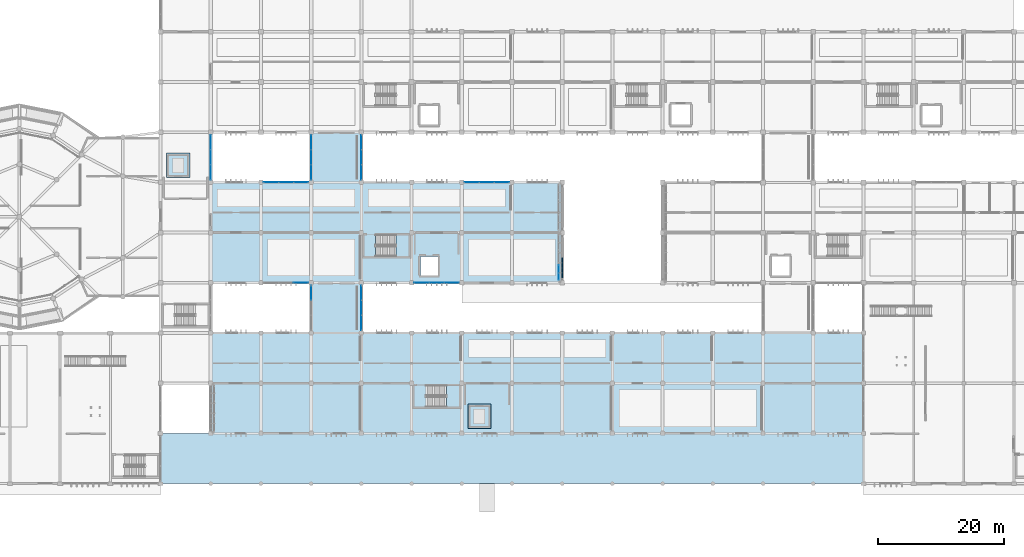
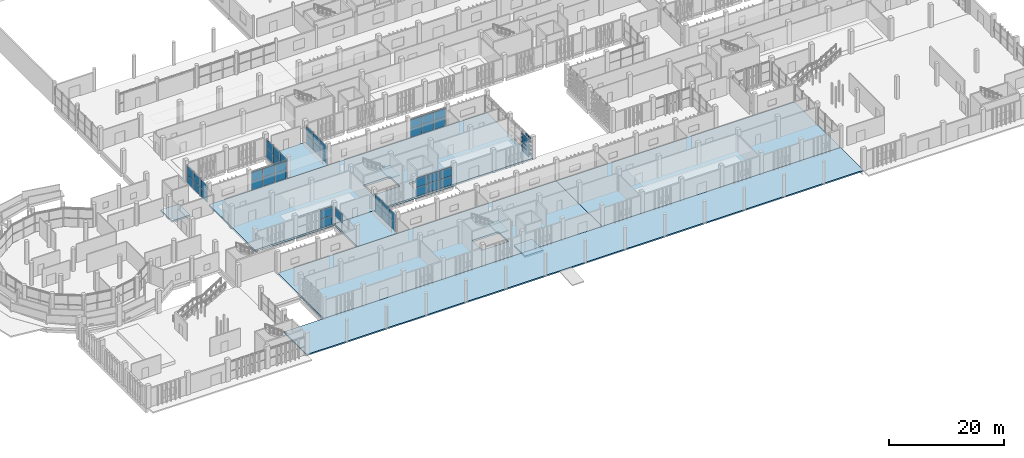
# One storey, part 77 of 117: 56 plates, 10 slabs, 12 elements without a shape of their own.
"""IFC4 building model written with IfcOpenShell, lengths in metres."""

from ifc_helpers import new_model, si_unit, direction, frame, origin, origin_2d, place, context, subcontext, project, spatial, polyline, rectangle, outline, extrude, material, layer, layer_set, type_object, element, aggregate, save


model = new_model("IFC4")

# Units and contexts
model_context = context("Model", 3, precision=1e-05, world=origin(), true_north=direction((0.0, 1.0)))
body_context = subcontext(model_context, "Body", "Model", "MODEL_VIEW")
ifc_project = project(units=[si_unit("LENGTHUNIT", "METRE"), si_unit("AREAUNIT", "SQUARE_METRE"), si_unit("VOLUMEUNIT", "CUBIC_METRE"), si_unit("PLANEANGLEUNIT", "RADIAN"), si_unit("MASSUNIT", "GRAM", prefix="KILO")], contexts=[model_context])

# Site, building, storey
site_placement = place(None, origin())
site = spatial("IfcSite", under=ifc_project, at=site_placement, CompositionType="ELEMENT")
building_placement = place(site_placement, origin())
building = spatial("IfcBuilding", under=site, at=building_placement, Name="Jelvoka-Kovrelna Polytechnic", CompositionType="ELEMENT")
storey_placement = place(building_placement, origin())
storey = spatial("IfcBuildingStorey", under=building, at=storey_placement, Name="L01", CompositionType="ELEMENT", Elevation=0.0)

# Curtain wall, plates
ifc_material_1 = material(Name="Anodised aluminium 6063-T6", Category="aluminium")
ifc_layer_1 = layer(ifc_material_1, 0.159912109375)
ifc_layer_set_1 = layer_set([ifc_layer_1], Name="Anodised aluminium 6063-T6")
curtain_wall_type_1 = type_object("IfcCurtainWallType", Name="CW_Recessed_A", PredefinedType="NOTDEFINED", material=ifc_layer_set_1)
curtain_wall_1_placement = place(storey_placement, origin())
curtain_wall_1 = element("IfcCurtainWall", 1, at=curtain_wall_1_placement, inside=storey, type_object=curtain_wall_type_1, Name="L01 glazed curtain wall 009", PredefinedType="NOTDEFINED")
ifc_material_2 = material(Name="Solar-control double glazing", Category="glass")
ifc_layer_2 = layer(ifc_material_2, 0.028076171875)
ifc_layer_set_2 = layer_set([ifc_layer_2], Name="Solar-control double glazing")
plate_type_1 = type_object("IfcPlateType", Name="Panel_GP-01", PredefinedType="CURTAIN_PANEL", material=ifc_layer_set_2)
plate_1_placement = place(storey_placement, frame((70.385009765625, 32.0, 0.052001953125), z_axis=(0.0, 0.0, 1.0), x_axis=(-1.0, 0.0, 0.0)))
plate_1 = element("IfcPlate", 2, at=plate_1_placement, type_object=plate_type_1, Name="CW-01 panel 1.1", PredefinedType="CURTAIN_PANEL", context=body_context, shape_type="SweptSolid", body=[
    extrude(rectangle(XDim=2.326171875, YDim=0.028076171875, at=origin_2d()), origin(), (0.0, 0.0, 1.0), 1.881103515625),
])
plate_2_placement = place(storey_placement, frame((70.385009765625, 32.0, 1.976806640625), z_axis=(0.0, 0.0, 1.0), x_axis=(-1.0, 0.0, 0.0)))
plate_2 = element("IfcPlate", 3, at=plate_2_placement, type_object=plate_type_1, Name="CW-01 panel 1.2", PredefinedType="CURTAIN_PANEL", context=body_context, shape_type="SweptSolid", body=[
    extrude(rectangle(XDim=2.326171875, YDim=0.028076171875, at=origin_2d()), origin(), (0.0, 0.0, 1.0), 1.881103515625),
])
aggregate(curtain_wall_1, [plate_1, plate_2])

curtain_wall_2_placement = place(storey_placement, origin())
curtain_wall_2 = element("IfcCurtainWall", 4, at=curtain_wall_2_placement, inside=storey, type_object=curtain_wall_type_1, Name="L01 glazed curtain wall 010", PredefinedType="NOTDEFINED")
plate_3_placement = place(storey_placement, frame((65.614990234375, 48.0, 0.052001953125), z_axis=(0.0, 0.0, 1.0), x_axis=(1.0, 0.0, 0.0)))
plate_3 = element("IfcPlate", 5, at=plate_3_placement, type_object=plate_type_1, Name="CW-01 panel 1.1", PredefinedType="CURTAIN_PANEL", context=body_context, shape_type="SweptSolid", body=[
    extrude(rectangle(XDim=2.326171875, YDim=0.028076171875, at=origin_2d()), origin(), (0.0, 0.0, 1.0), 1.881103515625),
])
plate_4_placement = place(storey_placement, frame((65.614990234375, 48.0, 1.976806640625), z_axis=(0.0, 0.0, 1.0), x_axis=(1.0, 0.0, 0.0)))
plate_4 = element("IfcPlate", 6, at=plate_4_placement, type_object=plate_type_1, Name="CW-01 panel 1.2", PredefinedType="CURTAIN_PANEL", context=body_context, shape_type="SweptSolid", body=[
    extrude(rectangle(XDim=2.326171875, YDim=0.028076171875, at=origin_2d()), origin(), (0.0, 0.0, 1.0), 1.881103515625),
])
plate_5_placement = place(storey_placement, frame((68.0, 48.0, 0.052001953125), z_axis=(0.0, 0.0, 1.0), x_axis=(1.0, 0.0, 0.0)))
plate_5 = element("IfcPlate", 7, at=plate_5_placement, type_object=plate_type_1, Name="CW-01 panel 2.1", PredefinedType="CURTAIN_PANEL", context=body_context, shape_type="SweptSolid", body=[
    extrude(rectangle(XDim=2.356201171875, YDim=0.028076171875, at=origin_2d()), origin(), (0.0, 0.0, 1.0), 1.881103515625),
])
plate_6_placement = place(storey_placement, frame((68.0, 48.0, 1.976806640625), z_axis=(0.0, 0.0, 1.0), x_axis=(1.0, 0.0, 0.0)))
plate_6 = element("IfcPlate", 8, at=plate_6_placement, type_object=plate_type_1, Name="CW-01 panel 2.2", PredefinedType="CURTAIN_PANEL", context=body_context, shape_type="SweptSolid", body=[
    extrude(rectangle(XDim=2.356201171875, YDim=0.028076171875, at=origin_2d()), origin(), (0.0, 0.0, 1.0), 1.881103515625),
])
plate_7_placement = place(storey_placement, frame((70.385009765625, 48.0, 0.052001953125), z_axis=(0.0, 0.0, 1.0), x_axis=(1.0, 0.0, 0.0)))
plate_7 = element("IfcPlate", 9, at=plate_7_placement, type_object=plate_type_1, Name="CW-01 panel 3.1", PredefinedType="CURTAIN_PANEL", context=body_context, shape_type="SweptSolid", body=[
    extrude(rectangle(XDim=2.326171875, YDim=0.028076171875, at=origin_2d()), origin(), (0.0, 0.0, 1.0), 1.881103515625),
])
plate_8_placement = place(storey_placement, frame((70.385009765625, 48.0, 1.976806640625), z_axis=(0.0, 0.0, 1.0), x_axis=(1.0, 0.0, 0.0)))
plate_8 = element("IfcPlate", 10, at=plate_8_placement, type_object=plate_type_1, Name="CW-01 panel 3.2", PredefinedType="CURTAIN_PANEL", context=body_context, shape_type="SweptSolid", body=[
    extrude(rectangle(XDim=2.326171875, YDim=0.028076171875, at=origin_2d()), origin(), (0.0, 0.0, 1.0), 1.881103515625),
])
aggregate(curtain_wall_2, [plate_3, plate_4, plate_5, plate_6, plate_7, plate_8])

curtain_wall_3_placement = place(storey_placement, origin())
curtain_wall_3 = element("IfcCurtainWall", 11, at=curtain_wall_3_placement, inside=storey, type_object=curtain_wall_type_1, Name="L01 glazed curtain wall 011", PredefinedType="NOTDEFINED")
plate_9_placement = place(storey_placement, frame((94.385009765625, 32.0, 0.052001953125), z_axis=(0.0, 0.0, 1.0), x_axis=(-1.0, 0.0, 0.0)))
plate_9 = element("IfcPlate", 12, at=plate_9_placement, type_object=plate_type_1, Name="CW-01 panel 1.1", PredefinedType="CURTAIN_PANEL", context=body_context, shape_type="SweptSolid", body=[
    extrude(rectangle(XDim=2.326171875, YDim=0.028076171875, at=origin_2d()), origin(), (0.0, 0.0, 1.0), 1.881103515625),
])
plate_10_placement = place(storey_placement, frame((94.385009765625, 32.0, 1.976806640625), z_axis=(0.0, 0.0, 1.0), x_axis=(-1.0, 0.0, 0.0)))
plate_10 = element("IfcPlate", 13, at=plate_10_placement, type_object=plate_type_1, Name="CW-01 panel 1.2", PredefinedType="CURTAIN_PANEL", context=body_context, shape_type="SweptSolid", body=[
    extrude(rectangle(XDim=2.326171875, YDim=0.028076171875, at=origin_2d()), origin(), (0.0, 0.0, 1.0), 1.881103515625),
])
plate_11_placement = place(storey_placement, frame((92.0, 32.0, 0.052001953125), z_axis=(0.0, 0.0, 1.0), x_axis=(-1.0, 0.0, 0.0)))
plate_11 = element("IfcPlate", 14, at=plate_11_placement, type_object=plate_type_1, Name="CW-01 panel 2.1", PredefinedType="CURTAIN_PANEL", context=body_context, shape_type="SweptSolid", body=[
    extrude(rectangle(XDim=2.356201171875, YDim=0.028076171875, at=origin_2d()), origin(), (0.0, 0.0, 1.0), 1.881103515625),
])
plate_12_placement = place(storey_placement, frame((92.0, 32.0, 1.976806640625), z_axis=(0.0, 0.0, 1.0), x_axis=(-1.0, 0.0, 0.0)))
plate_12 = element("IfcPlate", 15, at=plate_12_placement, type_object=plate_type_1, Name="CW-01 panel 2.2", PredefinedType="CURTAIN_PANEL", context=body_context, shape_type="SweptSolid", body=[
    extrude(rectangle(XDim=2.356201171875, YDim=0.028076171875, at=origin_2d()), origin(), (0.0, 0.0, 1.0), 1.881103515625),
])
plate_13_placement = place(storey_placement, frame((89.614990234375, 32.0, 0.052001953125), z_axis=(0.0, 0.0, 1.0), x_axis=(-1.0, 0.0, 0.0)))
plate_13 = element("IfcPlate", 16, at=plate_13_placement, type_object=plate_type_1, Name="CW-01 panel 3.1", PredefinedType="CURTAIN_PANEL", context=body_context, shape_type="SweptSolid", body=[
    extrude(rectangle(XDim=2.326171875, YDim=0.028076171875, at=origin_2d()), origin(), (0.0, 0.0, 1.0), 1.881103515625),
])
plate_14_placement = place(storey_placement, frame((89.614990234375, 32.0, 1.976806640625), z_axis=(0.0, 0.0, 1.0), x_axis=(-1.0, 0.0, 0.0)))
plate_14 = element("IfcPlate", 17, at=plate_14_placement, type_object=plate_type_1, Name="CW-01 panel 3.2", PredefinedType="CURTAIN_PANEL", context=body_context, shape_type="SweptSolid", body=[
    extrude(rectangle(XDim=2.326171875, YDim=0.028076171875, at=origin_2d()), origin(), (0.0, 0.0, 1.0), 1.881103515625),
])
aggregate(curtain_wall_3, [plate_9, plate_10, plate_11, plate_12, plate_13, plate_14])

curtain_wall_4_placement = place(storey_placement, origin())
curtain_wall_4 = element("IfcCurtainWall", 18, at=curtain_wall_4_placement, inside=storey, type_object=curtain_wall_type_1, Name="L01 glazed curtain wall 012", PredefinedType="NOTDEFINED")
plate_15_placement = place(storey_placement, frame((97.614990234375, 48.0, 0.052001953125), z_axis=(0.0, 0.0, 1.0), x_axis=(1.0, 0.0, 0.0)))
plate_15 = element("IfcPlate", 19, at=plate_15_placement, type_object=plate_type_1, Name="CW-01 panel 1.1", PredefinedType="CURTAIN_PANEL", context=body_context, shape_type="SweptSolid", body=[
    extrude(rectangle(XDim=2.326171875, YDim=0.028076171875, at=origin_2d()), origin(), (0.0, 0.0, 1.0), 1.881103515625),
])
plate_16_placement = place(storey_placement, frame((97.614990234375, 48.0, 1.976806640625), z_axis=(0.0, 0.0, 1.0), x_axis=(1.0, 0.0, 0.0)))
plate_16 = element("IfcPlate", 20, at=plate_16_placement, type_object=plate_type_1, Name="CW-01 panel 1.2", PredefinedType="CURTAIN_PANEL", context=body_context, shape_type="SweptSolid", body=[
    extrude(rectangle(XDim=2.326171875, YDim=0.028076171875, at=origin_2d()), origin(), (0.0, 0.0, 1.0), 1.881103515625),
])
plate_17_placement = place(storey_placement, frame((100.0, 48.0, 0.052001953125), z_axis=(0.0, 0.0, 1.0), x_axis=(1.0, 0.0, 0.0)))
plate_17 = element("IfcPlate", 21, at=plate_17_placement, type_object=plate_type_1, Name="CW-01 panel 2.1", PredefinedType="CURTAIN_PANEL", context=body_context, shape_type="SweptSolid", body=[
    extrude(rectangle(XDim=2.356201171875, YDim=0.028076171875, at=origin_2d()), origin(), (0.0, 0.0, 1.0), 1.881103515625),
])
plate_18_placement = place(storey_placement, frame((100.0, 48.0, 1.976806640625), z_axis=(0.0, 0.0, 1.0), x_axis=(1.0, 0.0, 0.0)))
plate_18 = element("IfcPlate", 22, at=plate_18_placement, type_object=plate_type_1, Name="CW-01 panel 2.2", PredefinedType="CURTAIN_PANEL", context=body_context, shape_type="SweptSolid", body=[
    extrude(rectangle(XDim=2.356201171875, YDim=0.028076171875, at=origin_2d()), origin(), (0.0, 0.0, 1.0), 1.881103515625),
])
plate_19_placement = place(storey_placement, frame((102.385009765625, 48.0, 0.052001953125), z_axis=(0.0, 0.0, 1.0), x_axis=(1.0, 0.0, 0.0)))
plate_19 = element("IfcPlate", 23, at=plate_19_placement, type_object=plate_type_1, Name="CW-01 panel 3.1", PredefinedType="CURTAIN_PANEL", context=body_context, shape_type="SweptSolid", body=[
    extrude(rectangle(XDim=2.326171875, YDim=0.028076171875, at=origin_2d()), origin(), (0.0, 0.0, 1.0), 1.881103515625),
])
plate_20_placement = place(storey_placement, frame((102.385009765625, 48.0, 1.976806640625), z_axis=(0.0, 0.0, 1.0), x_axis=(1.0, 0.0, 0.0)))
plate_20 = element("IfcPlate", 24, at=plate_20_placement, type_object=plate_type_1, Name="CW-01 panel 3.2", PredefinedType="CURTAIN_PANEL", context=body_context, shape_type="SweptSolid", body=[
    extrude(rectangle(XDim=2.326171875, YDim=0.028076171875, at=origin_2d()), origin(), (0.0, 0.0, 1.0), 1.881103515625),
])
aggregate(curtain_wall_4, [plate_15, plate_16, plate_17, plate_18, plate_19, plate_20])

curtain_wall_5_placement = place(storey_placement, origin())
curtain_wall_5 = element("IfcCurtainWall", 25, at=curtain_wall_5_placement, inside=storey, type_object=curtain_wall_type_1, Name="L01 glazed curtain wall 013", PredefinedType="NOTDEFINED")
plate_21_placement = place(storey_placement, frame((111.43994140625, 33.614990234375, 0.052001953125), z_axis=(0.0, 0.0, 1.0), x_axis=(0.0, -1.0, 0.0)))
plate_21 = element("IfcPlate", 26, at=plate_21_placement, type_object=plate_type_1, Name="CW-01 panel 3.1", PredefinedType="CURTAIN_PANEL", context=body_context, shape_type="SweptSolid", body=[
    extrude(rectangle(XDim=2.326171875, YDim=0.028076171875, at=origin_2d()), origin(), (0.0, 0.0, 1.0), 1.901123046875),
])
plate_22_placement = place(storey_placement, frame((111.43994140625, 33.614990234375, 1.996826171875), z_axis=(0.0, 0.0, 1.0), x_axis=(0.0, -1.0, 0.0)))
plate_22 = element("IfcPlate", 27, at=plate_22_placement, type_object=plate_type_1, Name="CW-01 panel 3.2", PredefinedType="CURTAIN_PANEL", context=body_context, shape_type="SweptSolid", body=[
    extrude(rectangle(XDim=2.326171875, YDim=0.028076171875, at=origin_2d()), origin(), (0.0, 0.0, 1.0), 1.901123046875),
])
aggregate(curtain_wall_5, [plate_21, plate_22])

ifc_material_3 = material(Name="Anodised aluminium 6063-T6", Category="aluminium")
ifc_layer_3 = layer(ifc_material_3, 0.159912109375)
ifc_layer_set_3 = layer_set([ifc_layer_3], Name="Anodised aluminium 6063-T6")
curtain_wall_type_2 = type_object("IfcCurtainWallType", Name="CW_LinkBridge", PredefinedType="NOTDEFINED", material=ifc_layer_set_3)
curtain_wall_6_placement = place(storey_placement, origin())
curtain_wall_6 = element("IfcCurtainWall", 28, at=curtain_wall_6_placement, inside=storey, type_object=curtain_wall_type_2, Name="L01 glazed curtain wall 102", PredefinedType="NOTDEFINED")
ifc_material_4 = material(Name="Solar-control double glazing", Category="glass")
ifc_layer_4 = layer(ifc_material_4, 0.02392578125)
ifc_layer_set_4 = layer_set([ifc_layer_4], Name="Solar-control double glazing")
plate_type_2 = type_object("IfcPlateType", Name="Panel_GP-04", PredefinedType="CURTAIN_PANEL", material=ifc_layer_set_4)
plate_23_placement = place(storey_placement, frame((72.0, 49.614990234375, 0.052001953125), z_axis=(0.0, 0.0, 1.0), x_axis=(0.0, 1.0, 0.0)))
plate_23 = element("IfcPlate", 29, at=plate_23_placement, type_object=plate_type_2, Name="CW-04 panel 1.1", PredefinedType="CURTAIN_PANEL", context=body_context, shape_type="SweptSolid", body=[
    extrude(rectangle(XDim=2.326171875, YDim=0.02392578125, at=origin_2d()), origin(), (0.0, 0.0, 1.0), 1.80615234375),
])
plate_24_placement = place(storey_placement, frame((72.0, 49.614990234375, 1.90185546875), z_axis=(0.0, 0.0, 1.0), x_axis=(0.0, 1.0, 0.0)))
plate_24 = element("IfcPlate", 30, at=plate_24_placement, type_object=plate_type_2, Name="CW-04 panel 1.2", PredefinedType="CURTAIN_PANEL", context=body_context, shape_type="SweptSolid", body=[
    extrude(rectangle(XDim=2.326171875, YDim=0.02392578125, at=origin_2d()), origin(), (0.0, 0.0, 1.0), 1.80615234375),
])
plate_25_placement = place(storey_placement, frame((72.0, 52.0, 0.052001953125), z_axis=(0.0, 0.0, 1.0), x_axis=(0.0, 1.0, 0.0)))
plate_25 = element("IfcPlate", 31, at=plate_25_placement, type_object=plate_type_2, Name="CW-04 panel 2.1", PredefinedType="CURTAIN_PANEL", context=body_context, shape_type="SweptSolid", body=[
    extrude(rectangle(XDim=2.356201171875, YDim=0.02392578125, at=origin_2d()), origin(), (0.0, 0.0, 1.0), 1.80615234375),
])
plate_26_placement = place(storey_placement, frame((72.0, 52.0, 1.90185546875), z_axis=(0.0, 0.0, 1.0), x_axis=(0.0, 1.0, 0.0)))
plate_26 = element("IfcPlate", 32, at=plate_26_placement, type_object=plate_type_2, Name="CW-04 panel 2.2", PredefinedType="CURTAIN_PANEL", context=body_context, shape_type="SweptSolid", body=[
    extrude(rectangle(XDim=2.356201171875, YDim=0.02392578125, at=origin_2d()), origin(), (0.0, 0.0, 1.0), 1.80615234375),
])
plate_27_placement = place(storey_placement, frame((72.0, 54.385009765625, 0.052001953125), z_axis=(0.0, 0.0, 1.0), x_axis=(0.0, 1.0, 0.0)))
plate_27 = element("IfcPlate", 33, at=plate_27_placement, type_object=plate_type_2, Name="CW-04 panel 3.1", PredefinedType="CURTAIN_PANEL", context=body_context, shape_type="SweptSolid", body=[
    extrude(rectangle(XDim=2.326171875, YDim=0.02392578125, at=origin_2d()), origin(), (0.0, 0.0, 1.0), 1.80615234375),
])
plate_28_placement = place(storey_placement, frame((72.0, 54.385009765625, 1.90185546875), z_axis=(0.0, 0.0, 1.0), x_axis=(0.0, 1.0, 0.0)))
plate_28 = element("IfcPlate", 34, at=plate_28_placement, type_object=plate_type_2, Name="CW-04 panel 3.2", PredefinedType="CURTAIN_PANEL", context=body_context, shape_type="SweptSolid", body=[
    extrude(rectangle(XDim=2.326171875, YDim=0.02392578125, at=origin_2d()), origin(), (0.0, 0.0, 1.0), 1.80615234375),
])
aggregate(curtain_wall_6, [plate_23, plate_24, plate_25, plate_26, plate_27, plate_28])

curtain_wall_7_placement = place(storey_placement, origin())
curtain_wall_7 = element("IfcCurtainWall", 35, at=curtain_wall_7_placement, inside=storey, type_object=curtain_wall_type_2, Name="L01 glazed curtain wall 103", PredefinedType="NOTDEFINED")
plate_29_placement = place(storey_placement, frame((80.0, 54.385009765625, 0.052001953125), z_axis=(0.0, 0.0, 1.0), x_axis=(0.0, -1.0, 0.0)))
plate_29 = element("IfcPlate", 36, at=plate_29_placement, type_object=plate_type_2, Name="CW-04 panel 1.1", PredefinedType="CURTAIN_PANEL", context=body_context, shape_type="SweptSolid", body=[
    extrude(rectangle(XDim=2.326171875, YDim=0.02392578125, at=origin_2d()), origin(), (0.0, 0.0, 1.0), 1.80615234375),
])
plate_30_placement = place(storey_placement, frame((80.0, 54.385009765625, 1.90185546875), z_axis=(0.0, 0.0, 1.0), x_axis=(0.0, -1.0, 0.0)))
plate_30 = element("IfcPlate", 37, at=plate_30_placement, type_object=plate_type_2, Name="CW-04 panel 1.2", PredefinedType="CURTAIN_PANEL", context=body_context, shape_type="SweptSolid", body=[
    extrude(rectangle(XDim=2.326171875, YDim=0.02392578125, at=origin_2d()), origin(), (0.0, 0.0, 1.0), 1.80615234375),
])
plate_31_placement = place(storey_placement, frame((80.0, 52.0, 0.052001953125), z_axis=(0.0, 0.0, 1.0), x_axis=(0.0, -1.0, 0.0)))
plate_31 = element("IfcPlate", 38, at=plate_31_placement, type_object=plate_type_2, Name="CW-04 panel 2.1", PredefinedType="CURTAIN_PANEL", context=body_context, shape_type="SweptSolid", body=[
    extrude(rectangle(XDim=2.356201171875, YDim=0.02392578125, at=origin_2d()), origin(), (0.0, 0.0, 1.0), 1.80615234375),
])
plate_32_placement = place(storey_placement, frame((80.0, 52.0, 1.90185546875), z_axis=(0.0, 0.0, 1.0), x_axis=(0.0, -1.0, 0.0)))
plate_32 = element("IfcPlate", 39, at=plate_32_placement, type_object=plate_type_2, Name="CW-04 panel 2.2", PredefinedType="CURTAIN_PANEL", context=body_context, shape_type="SweptSolid", body=[
    extrude(rectangle(XDim=2.356201171875, YDim=0.02392578125, at=origin_2d()), origin(), (0.0, 0.0, 1.0), 1.80615234375),
])
plate_33_placement = place(storey_placement, frame((80.0, 49.614990234375, 0.052001953125), z_axis=(0.0, 0.0, 1.0), x_axis=(0.0, -1.0, 0.0)))
plate_33 = element("IfcPlate", 40, at=plate_33_placement, type_object=plate_type_2, Name="CW-04 panel 3.1", PredefinedType="CURTAIN_PANEL", context=body_context, shape_type="SweptSolid", body=[
    extrude(rectangle(XDim=2.326171875, YDim=0.02392578125, at=origin_2d()), origin(), (0.0, 0.0, 1.0), 1.80615234375),
])
plate_34_placement = place(storey_placement, frame((80.0, 49.614990234375, 1.90185546875), z_axis=(0.0, 0.0, 1.0), x_axis=(0.0, -1.0, 0.0)))
plate_34 = element("IfcPlate", 41, at=plate_34_placement, type_object=plate_type_2, Name="CW-04 panel 3.2", PredefinedType="CURTAIN_PANEL", context=body_context, shape_type="SweptSolid", body=[
    extrude(rectangle(XDim=2.326171875, YDim=0.02392578125, at=origin_2d()), origin(), (0.0, 0.0, 1.0), 1.80615234375),
])
aggregate(curtain_wall_7, [plate_29, plate_30, plate_31, plate_32, plate_33, plate_34])

# Curtain wall, plate
curtain_wall_8_placement = place(storey_placement, origin())
curtain_wall_8 = element("IfcCurtainWall", 42, at=curtain_wall_8_placement, inside=storey, type_object=curtain_wall_type_2, Name="L01 glazed curtain wall 104", PredefinedType="NOTDEFINED")
plate_35_placement = place(storey_placement, frame((72.0, 30.385009765625, 1.90185546875), z_axis=(0.0, 0.0, 1.0), x_axis=(0.0, 1.0, 0.0)))
plate_35 = element("IfcPlate", 43, at=plate_35_placement, type_object=plate_type_2, Name="CW-04 panel 3.2", PredefinedType="CURTAIN_PANEL", context=body_context, shape_type="SweptSolid", body=[
    extrude(rectangle(XDim=2.326171875, YDim=0.02392578125, at=origin_2d()), origin(), (0.0, 0.0, 1.0), 1.80615234375),
])
aggregate(curtain_wall_8, [plate_35])

# Curtain wall, plates
curtain_wall_9_placement = place(storey_placement, origin())
curtain_wall_9 = element("IfcCurtainWall", 44, at=curtain_wall_9_placement, inside=storey, type_object=curtain_wall_type_2, Name="L01 glazed curtain wall 105", PredefinedType="NOTDEFINED")
plate_36_placement = place(storey_placement, frame((80.0, 30.385009765625, 0.052001953125), z_axis=(0.0, 0.0, 1.0), x_axis=(0.0, -1.0, 0.0)))
plate_36 = element("IfcPlate", 45, at=plate_36_placement, type_object=plate_type_2, Name="CW-04 panel 1.1", PredefinedType="CURTAIN_PANEL", context=body_context, shape_type="SweptSolid", body=[
    extrude(rectangle(XDim=2.326171875, YDim=0.02392578125, at=origin_2d()), origin(), (0.0, 0.0, 1.0), 1.80615234375),
])
plate_37_placement = place(storey_placement, frame((80.0, 30.385009765625, 1.90185546875), z_axis=(0.0, 0.0, 1.0), x_axis=(0.0, -1.0, 0.0)))
plate_37 = element("IfcPlate", 46, at=plate_37_placement, type_object=plate_type_2, Name="CW-04 panel 1.2", PredefinedType="CURTAIN_PANEL", context=body_context, shape_type="SweptSolid", body=[
    extrude(rectangle(XDim=2.326171875, YDim=0.02392578125, at=origin_2d()), origin(), (0.0, 0.0, 1.0), 1.80615234375),
])
plate_38_placement = place(storey_placement, frame((80.0, 28.0, 0.052001953125), z_axis=(0.0, 0.0, 1.0), x_axis=(0.0, -1.0, 0.0)))
plate_38 = element("IfcPlate", 47, at=plate_38_placement, type_object=plate_type_2, Name="CW-04 panel 2.1", PredefinedType="CURTAIN_PANEL", context=body_context, shape_type="SweptSolid", body=[
    extrude(rectangle(XDim=2.356201171875, YDim=0.02392578125, at=origin_2d()), origin(), (0.0, 0.0, 1.0), 1.80615234375),
])
plate_39_placement = place(storey_placement, frame((80.0, 28.0, 1.90185546875), z_axis=(0.0, 0.0, 1.0), x_axis=(0.0, -1.0, 0.0)))
plate_39 = element("IfcPlate", 48, at=plate_39_placement, type_object=plate_type_2, Name="CW-04 panel 2.2", PredefinedType="CURTAIN_PANEL", context=body_context, shape_type="SweptSolid", body=[
    extrude(rectangle(XDim=2.356201171875, YDim=0.02392578125, at=origin_2d()), origin(), (0.0, 0.0, 1.0), 1.80615234375),
])
plate_40_placement = place(storey_placement, frame((80.0, 25.614990234375, 0.052001953125), z_axis=(0.0, 0.0, 1.0), x_axis=(0.0, -1.0, 0.0)))
plate_40 = element("IfcPlate", 49, at=plate_40_placement, type_object=plate_type_2, Name="CW-04 panel 3.1", PredefinedType="CURTAIN_PANEL", context=body_context, shape_type="SweptSolid", body=[
    extrude(rectangle(XDim=2.326171875, YDim=0.02392578125, at=origin_2d()), origin(), (0.0, 0.0, 1.0), 1.80615234375),
])
plate_41_placement = place(storey_placement, frame((80.0, 25.614990234375, 1.90185546875), z_axis=(0.0, 0.0, 1.0), x_axis=(0.0, -1.0, 0.0)))
plate_41 = element("IfcPlate", 50, at=plate_41_placement, type_object=plate_type_2, Name="CW-04 panel 3.2", PredefinedType="CURTAIN_PANEL", context=body_context, shape_type="SweptSolid", body=[
    extrude(rectangle(XDim=2.326171875, YDim=0.02392578125, at=origin_2d()), origin(), (0.0, 0.0, 1.0), 1.80615234375),
])
aggregate(curtain_wall_9, [plate_36, plate_37, plate_38, plate_39, plate_40, plate_41])

ifc_material_5 = material(Name="Anodised aluminium 6063-T6", Category="aluminium")
ifc_layer_5 = layer(ifc_material_5, 0.179931640625)
ifc_layer_set_5 = layer_set([ifc_layer_5], Name="Anodised aluminium 6063-T6")
curtain_wall_type_3 = type_object("IfcCurtainWallType", Name="CW_Pavilion", PredefinedType="NOTDEFINED", material=ifc_layer_set_5)
curtain_wall_10_placement = place(storey_placement, origin())
curtain_wall_10 = element("IfcCurtainWall", 51, at=curtain_wall_10_placement, inside=storey, type_object=curtain_wall_type_3, Name="L01 glazed curtain wall 109", PredefinedType="NOTDEFINED")
ifc_material_6 = material(Name="Solar-control double glazing", Category="glass")
ifc_layer_6 = layer(ifc_material_6, 0.030029296875)
ifc_layer_set_6 = layer_set([ifc_layer_6], Name="Solar-control double glazing")
plate_type_3 = type_object("IfcPlateType", Name="Panel_GP-05", PredefinedType="CURTAIN_PANEL", material=ifc_layer_set_6)
plate_42_placement = place(storey_placement, frame((56.0, 54.3837890625, 0.056884765625), z_axis=(0.0, 0.0, 1.0), x_axis=(0.0, -1.0, 0.0)))
plate_42 = element("IfcPlate", 52, at=plate_42_placement, type_object=plate_type_3, Name="CW-05 panel 1.1", PredefinedType="CURTAIN_PANEL", context=body_context, shape_type="SweptSolid", body=[
    extrude(rectangle(XDim=2.318603515625, YDim=0.030029296875, at=origin_2d()), origin(), (0.0, 0.0, 1.0), 1.798583984375),
])
plate_43_placement = place(storey_placement, frame((56.0, 54.3837890625, 1.904541015625), z_axis=(0.0, 0.0, 1.0), x_axis=(0.0, -1.0, 0.0)))
plate_43 = element("IfcPlate", 53, at=plate_43_placement, type_object=plate_type_3, Name="CW-05 panel 1.2", PredefinedType="CURTAIN_PANEL", context=body_context, shape_type="SweptSolid", body=[
    extrude(rectangle(XDim=2.318603515625, YDim=0.030029296875, at=origin_2d()), origin(), (0.0, 0.0, 1.0), 1.798583984375),
])
plate_44_placement = place(storey_placement, frame((56.0, 52.0, 0.056884765625), z_axis=(0.0, 0.0, 1.0), x_axis=(0.0, -1.0, 0.0)))
plate_44 = element("IfcPlate", 54, at=plate_44_placement, type_object=plate_type_3, Name="CW-05 panel 2.1", PredefinedType="CURTAIN_PANEL", context=body_context, shape_type="SweptSolid", body=[
    extrude(rectangle(XDim=2.35107421875, YDim=0.030029296875, at=origin_2d()), origin(), (0.0, 0.0, 1.0), 1.798583984375),
])
plate_45_placement = place(storey_placement, frame((56.0, 52.0, 1.904541015625), z_axis=(0.0, 0.0, 1.0), x_axis=(0.0, -1.0, 0.0)))
plate_45 = element("IfcPlate", 55, at=plate_45_placement, type_object=plate_type_3, Name="CW-05 panel 2.2", PredefinedType="CURTAIN_PANEL", context=body_context, shape_type="SweptSolid", body=[
    extrude(rectangle(XDim=2.35107421875, YDim=0.030029296875, at=origin_2d()), origin(), (0.0, 0.0, 1.0), 1.798583984375),
])
plate_46_placement = place(storey_placement, frame((56.0, 49.6162109375, 0.056884765625), z_axis=(0.0, 0.0, 1.0), x_axis=(0.0, -1.0, 0.0)))
plate_46 = element("IfcPlate", 56, at=plate_46_placement, type_object=plate_type_3, Name="CW-05 panel 3.1", PredefinedType="CURTAIN_PANEL", context=body_context, shape_type="SweptSolid", body=[
    extrude(rectangle(XDim=2.318603515625, YDim=0.030029296875, at=origin_2d()), origin(), (0.0, 0.0, 1.0), 1.798583984375),
])
plate_47_placement = place(storey_placement, frame((56.0, 49.6162109375, 1.904541015625), z_axis=(0.0, 0.0, 1.0), x_axis=(0.0, -1.0, 0.0)))
plate_47 = element("IfcPlate", 57, at=plate_47_placement, type_object=plate_type_3, Name="CW-05 panel 3.2", PredefinedType="CURTAIN_PANEL", context=body_context, shape_type="SweptSolid", body=[
    extrude(rectangle(XDim=2.318603515625, YDim=0.030029296875, at=origin_2d()), origin(), (0.0, 0.0, 1.0), 1.798583984375),
])
aggregate(curtain_wall_10, [plate_42, plate_43, plate_44, plate_45, plate_46, plate_47])

# Plates
ifc_material_7 = material(Name="Perforated fired terracotta block", Category="masonry")
ifc_layer_7 = layer(ifc_material_7, 0.169921875)
ifc_layer_set_7 = layer_set([ifc_layer_7], Name="Perforated fired terracotta block")
plate_type_4 = type_object("IfcPlateType", Name="Screen_Terracotta_TP04", PredefinedType="USERDEFINED", material=ifc_layer_set_7)
for number, where, z_axis, x_axis, name in (
    (58, (111.97998046875, 33.60009765625, 0.18994140625), (0.0, 0.0, 1.0), (0.0, 1.0, 0.0), "L01 perforated terracotta lattice band 0161"),
    (59, (111.97998046875, 33.60009765625, 1.03271484375), (0.0, 0.0, 1.0), (0.0, 1.0, 0.0), "L01 perforated terracotta lattice band 0162"),
    (60, (111.97998046875, 33.60009765625, 1.875), (0.0, 0.0, 1.0), (0.0, 1.0, 0.0), "L01 perforated terracotta lattice band 0163"),
    (61, (111.97998046875, 33.60009765625, 2.71728515625), (0.0, 0.0, 1.0), (0.0, 1.0, 0.0), "L01 perforated terracotta lattice band 0164"),
    (62, (111.97998046875, 33.60009765625, 3.56005859375), (0.0, 0.0, 1.0), (0.0, 1.0, 0.0), "L01 perforated terracotta lattice band 0165"),
    (63, (111.97998046875, 35.199951171875, 0.18994140625), (0.0, 0.0, 1.0), (0.0, 1.0, 0.0), "L01 perforated terracotta lattice band 0166"),
    (64, (111.97998046875, 35.199951171875, 1.03271484375), (0.0, 0.0, 1.0), (0.0, 1.0, 0.0), "L01 perforated terracotta lattice band 0167"),
    (65, (111.97998046875, 35.199951171875, 1.875), (0.0, 0.0, 1.0), (0.0, 1.0, 0.0), "L01 perforated terracotta lattice band 0168"),
    (66, (111.97998046875, 35.199951171875, 2.71728515625), (0.0, 0.0, 1.0), (0.0, 1.0, 0.0), "L01 perforated terracotta lattice band 0169"),
):
    element("IfcPlate", number, at=place(storey_placement, frame(where, z_axis=z_axis, x_axis=x_axis)), inside=storey, type_object=plate_type_4, Name=name, ObjectType="SCREEN PANEL", PredefinedType="USERDEFINED", context=body_context, shape_type="SweptSolid", body=[
        extrude(rectangle(XDim=1.56005859375, YDim=0.169921875, at=origin_2d()), origin(), (0.0, 0.0, 1.0), 0.260009765625),
    ])

# Slabs
ifc_material_8 = material(Name="Concrete C35/45", Category="concrete")
ifc_layer_8 = layer(ifc_material_8, 0.280029296875)
ifc_layer_set_8 = layer_set([ifc_layer_8], Name="Concrete C35/45")
slab_type_1 = type_object("IfcSlabType", Name="Slab_Base_280", PredefinedType="BASESLAB", material=ifc_layer_set_8)
slab_1_placement = place(storey_placement, frame((0.0, 0.0, -0.280029296875)))
element("IfcSlab", 67, at=slab_1_placement, inside=storey, type_object=slab_type_1, Name="L01 south avenue colonnade base slab", PredefinedType="BASESLAB", context=body_context, shape_type="SweptSolid", body=[
    extrude(outline(polyline([(48.0, 0.0), (160.0, 0.0), (160.0, 8.0), (48.0, 8.0), (48.0, 0.0)])), origin(), (0.0, 0.0, 1.0), 0.280029296875),
])
ifc_material_9 = material(Name="Concrete C35/45", Category="concrete")
ifc_layer_9 = layer(ifc_material_9, 0.35009765625)
ifc_layer_set_9 = layer_set([ifc_layer_9], Name="Concrete C35/45")
slab_type_2 = type_object("IfcSlabType", Name="Slab_Base_350", PredefinedType="BASESLAB", material=ifc_layer_set_9)
slab_2_placement = place(storey_placement, frame((0.0, 0.0, -1.85009765625)))
element("IfcSlab", 68, at=slab_2_placement, inside=storey, type_object=slab_type_2, Name="L01 lift pit base slab LF-P3", PredefinedType="BASESLAB", context=body_context, shape_type="SweptSolid", body=[
    extrude(outline(polyline([(96.949951171875, 8.75), (100.64990234375, 8.75), (100.64990234375, 12.64990234375), (96.949951171875, 12.64990234375), (96.949951171875, 8.75)])), origin(), (0.0, 0.0, 1.0), 0.35009765625),
])
slab_3_placement = place(storey_placement, frame((0.0, 0.0, -1.85009765625)))
element("IfcSlab", 69, at=slab_3_placement, inside=storey, type_object=slab_type_2, Name="L01 lift pit base slab LF-P4", PredefinedType="BASESLAB", context=body_context, shape_type="SweptSolid", body=[
    extrude(outline(polyline([(48.949951171875, 48.75), (52.64990234375, 48.75), (52.64990234375, 52.64990234375), (48.949951171875, 52.64990234375), (48.949951171875, 48.75)])), origin(), (0.0, 0.0, 1.0), 0.35009765625),
])
ifc_material_10 = material(Name="Concrete C35/45", Category="concrete")
ifc_layer_10 = layer(ifc_material_10, 0.405029296875)
ifc_layer_set_10 = layer_set([ifc_layer_10], Name="Concrete C35/45")
slab_type_3 = type_object("IfcSlabType", Name="Slab_Base_400", PredefinedType="BASESLAB", material=ifc_layer_set_10)
slab_4_placement = place(storey_placement, frame((0.0, 0.0, -0.405029296875)))
element("IfcSlab", 70, at=slab_4_placement, inside=storey, type_object=slab_type_3, Name="L01 B1W structural slab", PredefinedType="BASESLAB", context=body_context, shape_type="SweptSolid", body=[
    extrude(outline(polyline([(56.0, 8.0), (112.0, 8.0), (112.0, 24.0), (56.0, 24.0), (56.0, 8.0)]), holes=[polyline([(90.264892578125, 12.199951171875), (95.60009765625, 12.199951171875), (95.60009765625, 15.639892578125), (90.264892578125, 15.639892578125), (90.264892578125, 12.199951171875)])]), origin(), (0.0, 0.0, 1.0), 0.405029296875),
])
slab_5_placement = place(storey_placement, frame((0.0, 0.0, -0.405029296875)))
element("IfcSlab", 71, at=slab_5_placement, inside=storey, type_object=slab_type_3, Name="L01 B1E structural slab", PredefinedType="BASESLAB", context=body_context, shape_type="SweptSolid", body=[
    extrude(outline(polyline([(112.0, 8.0), (160.0, 8.0), (160.0, 24.0), (112.0, 24.0), (112.0, 8.0)])), origin(), (0.0, 0.0, 1.0), 0.405029296875),
])
slab_6_placement = place(storey_placement, frame((0.0, 0.0, -0.405029296875)))
element("IfcSlab", 72, at=slab_6_placement, inside=storey, type_object=slab_type_3, Name="L01 B2W structural slab", PredefinedType="BASESLAB", context=body_context, shape_type="SweptSolid", body=[
    extrude(outline(polyline([(56.0, 32.0), (112.0, 32.0), (112.0, 48.0), (56.0, 48.0), (56.0, 32.0)]), holes=[polyline([(89.39990234375, 33.199951171875), (92.199951171875, 33.199951171875), (92.199951171875, 36.199951171875), (89.39990234375, 36.199951171875), (89.39990234375, 33.199951171875)]), polyline([(82.264892578125, 36.199951171875), (87.60009765625, 36.199951171875), (87.60009765625, 39.639892578125), (82.264892578125, 39.639892578125), (82.264892578125, 36.199951171875)])]), origin(), (0.0, 0.0, 1.0), 0.405029296875),
])
slab_7_placement = place(storey_placement, frame((0.0, 0.0, -0.405029296875)))
element("IfcSlab", 73, at=slab_7_placement, inside=storey, type_object=slab_type_3, Name="L01 LNKSW structural slab", PredefinedType="BASESLAB", context=body_context, shape_type="SweptSolid", body=[
    extrude(outline(polyline([(72.0, 24.0), (80.0, 24.0), (80.0, 32.0), (72.0, 32.0), (72.0, 24.0)])), origin(), (0.0, 0.0, 1.0), 0.405029296875),
])
slab_8_placement = place(storey_placement, frame((0.0, 0.0, -0.405029296875)))
element("IfcSlab", 74, at=slab_8_placement, inside=storey, type_object=slab_type_3, Name="L01 LNKNW structural slab", PredefinedType="BASESLAB", context=body_context, shape_type="SweptSolid", body=[
    extrude(outline(polyline([(72.0, 48.0), (80.0, 48.0), (80.0, 56.0), (72.0, 56.0), (72.0, 48.0)])), origin(), (0.0, 0.0, 1.0), 0.405029296875),
])

# Stair, slab
ifc_material_11 = material(Name="Concrete C35/45", Category="concrete")
stair_type = type_object("IfcStairType", Name="Stair_Dogleg_1620", PredefinedType="TWO_STRAIGHT_RUN_STAIR", material=ifc_material_11)
stair_1_placement = place(storey_placement, origin())
stair_1 = element("IfcStair", 75, at=stair_1_placement, inside=storey, type_object=stair_type, Name="L01 ST06", PredefinedType="TWO_STRAIGHT_RUN_STAIR")
ifc_material_12 = material(Name="Concrete C35/45", Category="concrete")
ifc_layer_11 = layer(ifc_material_12, 0.199951171875)
ifc_layer_set_11 = layer_set([ifc_layer_11], Name="Concrete C35/45")
slab_type_4 = type_object("IfcSlabType", Name="Slab_Stair_Landing_200", PredefinedType="LANDING", material=ifc_layer_set_11)
slab_9_placement = place(storey_placement, frame((0.0, 0.0, 2.199951171875)))
slab_9 = element("IfcSlab", 76, at=slab_9_placement, type_object=slab_type_4, Name="ST06 landing 1", PredefinedType="LANDING", context=body_context, shape_type="SweptSolid", body=[
    extrude(outline(polyline([(93.550048828125, 12.199951171875), (95.60009765625, 12.199951171875), (95.60009765625, 15.639892578125), (93.550048828125, 15.639892578125), (93.550048828125, 12.199951171875)])), origin(), (0.0, 0.0, 1.0), 0.199951171875),
])
aggregate(stair_1, [slab_9])

stair_2_placement = place(storey_placement, origin())
stair_2 = element("IfcStair", 77, at=stair_2_placement, inside=storey, type_object=stair_type, Name="L01 ST07", PredefinedType="TWO_STRAIGHT_RUN_STAIR")
slab_10_placement = place(storey_placement, frame((0.0, 0.0, 2.199951171875)))
slab_10 = element("IfcSlab", 78, at=slab_10_placement, type_object=slab_type_4, Name="ST07 landing 1", PredefinedType="LANDING", context=body_context, shape_type="SweptSolid", body=[
    extrude(outline(polyline([(85.550048828125, 36.199951171875), (87.60009765625, 36.199951171875), (87.60009765625, 39.639892578125), (85.550048828125, 39.639892578125), (85.550048828125, 36.199951171875)])), origin(), (0.0, 0.0, 1.0), 0.199951171875),
])
aggregate(stair_2, [slab_10])

save(model, "model.ifc")
